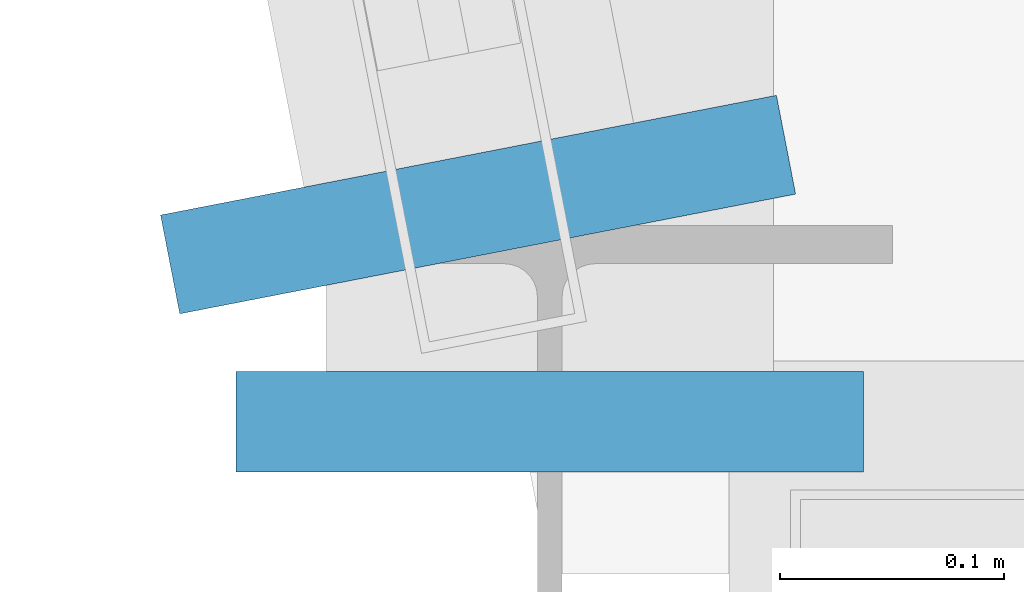
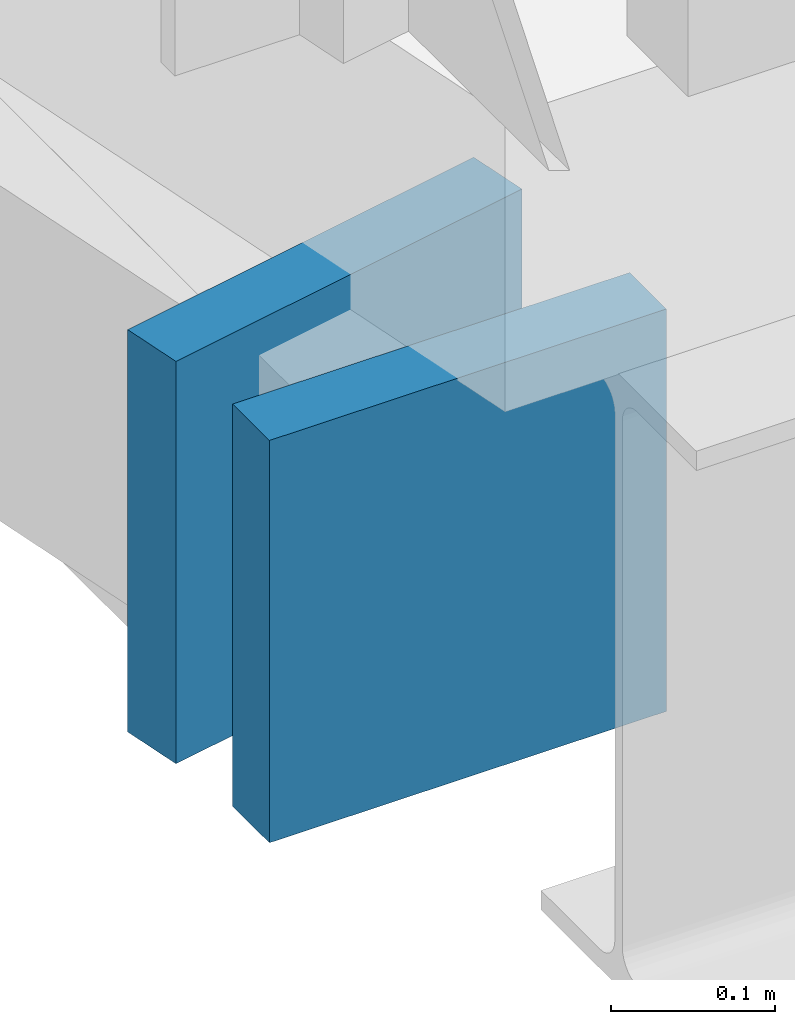
# One storey, part 144 of 166: 2 plates.
"""IFC4 building model written with IfcOpenShell, lengths in metres."""

from ifc_helpers import new_model, si_unit, direction, frame, origin, origin_2d, place, context, subcontext, project, spatial, rectangle, extrude, material, layer, layer_set, type_object, element, save


model = new_model("IFC4")

# Units and contexts
model_context = context("Model", 3, precision=1e-05, world=origin(), true_north=direction((0.0, 1.0)))
body_context = subcontext(model_context, "Body", "Model", "MODEL_VIEW")
ifc_project = project(units=[si_unit("LENGTHUNIT", "METRE"), si_unit("AREAUNIT", "SQUARE_METRE"), si_unit("VOLUMEUNIT", "CUBIC_METRE"), si_unit("PLANEANGLEUNIT", "RADIAN"), si_unit("MASSUNIT", "GRAM", prefix="KILO")], contexts=[model_context])

# Site, building, storey
site_placement = place(None, origin())
site = spatial("IfcSite", under=ifc_project, at=site_placement, CompositionType="ELEMENT")
building_placement = place(site_placement, origin())
building = spatial("IfcBuilding", under=site, at=building_placement, Name="Caisbarro Railhouse Central Library", CompositionType="ELEMENT")
storey_placement = place(building_placement, frame((0.0, 0.0, 9.360107421875)))
storey = spatial("IfcBuildingStorey", under=building, at=storey_placement, Name="L02", CompositionType="ELEMENT", Elevation=9.360107421875)

# Plates
ifc_material = material(Name="Steel ASTM A572 Grade 50", Category="steel")
ifc_layer = layer(ifc_material, 0.044921875, Name="Steel ASTM A572 Grade 50")
ifc_layer_set = layer_set([ifc_layer], Name="Steel ASTM A572 Grade 50")
plate_type = type_object("IfcPlateType", Name="PLT-EP01", PredefinedType="SHEET", material=ifc_layer_set)
for number, where, z_axis, x_axis, name in (
    (1, (117.0, 60.867919921875, -0.52001953125), (0.0, 0.0, 1.0), (0.0, 1.0, 0.0), "EP01 end cap plate"),
    (2, (116.968017578125, 60.96484375, -0.4951171875), (0.0, 0.0, 1.0), (-0.190808995377, 0.981627183448, 0.0), "EP01 end cap plate"),
):
    element("IfcPlate", number, at=place(storey_placement, frame(where, z_axis=z_axis, x_axis=x_axis)), inside=storey, type_object=plate_type, Name=name, PredefinedType="SHEET", context=body_context, shape_type="SweptSolid", body=[
        extrude(rectangle(XDim=0.044921875, YDim=0.280029296875, at=origin_2d()), origin(), (0.0, 0.0, 1.0), 0.300048828125),
    ])

save(model, "model.ifc")
